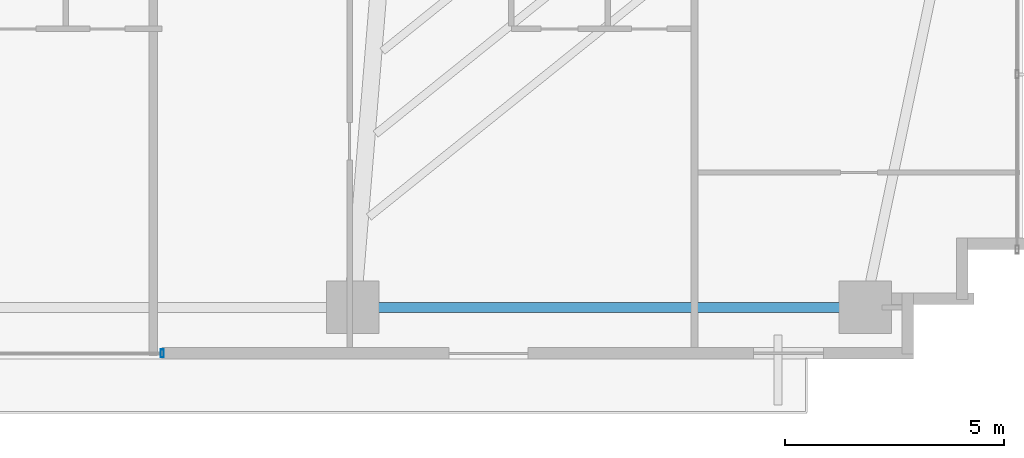
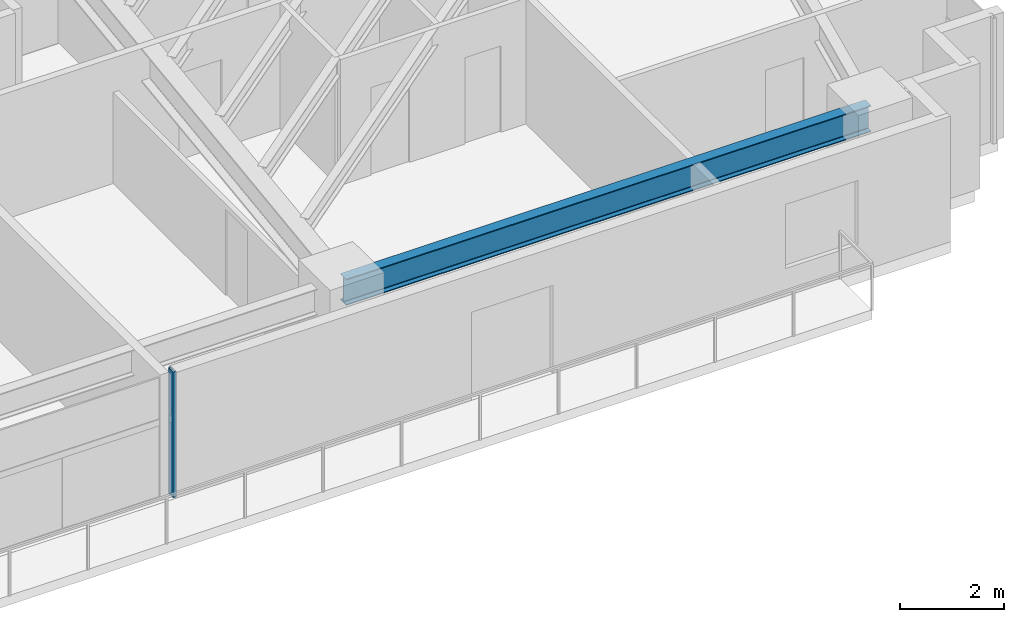
# One storey, part 12 of 25: 1 beam, 1 member, 1 element without a shape of its own.
"""IFC4 building model written with IfcOpenShell, lengths in metres."""

from ifc_helpers import new_model, si_unit, direction, frame, origin, origin_2d, place, context, subcontext, project, spatial, hollow_rectangle, i_section, extrude, source, transform, mapped, material, material_profile, profile_set, type_object, type_shapes, element, aggregate, save


model = new_model("IFC4")

# Units and contexts
model_context = context("Model", 3, precision=1e-05, world=origin(), true_north=direction((0.0, 1.0)))
body_context = subcontext(model_context, "Body", "Model", "MODEL_VIEW")
ifc_project = project(units=[si_unit("LENGTHUNIT", "METRE"), si_unit("AREAUNIT", "SQUARE_METRE"), si_unit("VOLUMEUNIT", "CUBIC_METRE"), si_unit("PLANEANGLEUNIT", "RADIAN"), si_unit("MASSUNIT", "GRAM", prefix="KILO")], contexts=[model_context])

# Site, building, storey
site_placement = place(None, origin())
site = spatial("IfcSite", under=ifc_project, at=site_placement, CompositionType="ELEMENT")
building_placement = place(site_placement, origin())
building = spatial("IfcBuilding", under=site, at=building_placement, Name="Astriad Promenade Condominiums", CompositionType="ELEMENT")
storey_placement = place(building_placement, frame((0.0, 0.0, 61.39990234375)))
storey = spatial("IfcBuildingStorey", under=building, at=storey_placement, Name="L17", CompositionType="ELEMENT", Elevation=61.39990234375)

# Beam
ifc_material_1 = material(Name="Steel ASTM A992 Grade 50", Category="steel")
ifc_material_profile_1 = material_profile(ifc_material_1, i_section(OverallWidth=0.22900390625, OverallDepth=0.612060546875, WebThickness=0.011962890625, FlangeThickness=0.01953125, FilletRadius=0.017822265625, at=origin_2d()), Name="W24X84")
ifc_profile_set_1 = profile_set([ifc_material_profile_1], Name="Steel ASTM A992 Grade 50")
beam_type = type_object("IfcBeamType", Name="STEEL SPANDREL BEAM W24X84", PredefinedType="SPANDREL", material=ifc_profile_set_1)
shared_shape_1 = source(origin(), body_context, "Body", "SweptSolid", [
    extrude(i_section(OverallWidth=0.22900390625, OverallDepth=0.612060546875, WebThickness=0.011962890625, FlangeThickness=0.01953125, FilletRadius=0.017822265625, at=origin_2d()), origin(), (0.0, 0.0, 1.0), 11.619873046875),
])
type_shapes(beam_type, [shared_shape_1])
beam_placement = place(storey_placement, frame((44.5400390625, 3.8798828125, 2.634033203125), z_axis=(1.0, 0.0, 0.0), x_axis=(0.0, 1.0, 0.0)))
element("IfcBeam", 1, at=beam_placement, inside=storey, type_object=beam_type, Name="Perimeter Spandrel Beam SP-S4-L17", PredefinedType="SPANDREL", context=body_context, shape_type="MappedRepresentation", body=[
    mapped(shared_shape_1, transform((0.0, 0.0, 0.0), scale=1.0)),
])

# Curtain wall, member
ifc_material_2 = material(Name="Anodised aluminium Black Dark Glass Unitised", Category="aluminium")
curtain_wall_type = type_object("IfcCurtainWallType", Name="CW-B1-DARK", PredefinedType="USERDEFINED", material=ifc_material_2)
curtain_wall_placement = place(storey_placement, origin())
curtain_wall = element("IfcCurtainWall", 2, at=curtain_wall_placement, inside=storey, type_object=curtain_wall_type, Name="CW-L17-S", ObjectType="UNITISED_CURTAIN_WALL", PredefinedType="USERDEFINED")
ifc_material_3 = material(Name="Anodised aluminium 6063-T6 Black", Category="aluminium")
ifc_material_profile_2 = material_profile(ifc_material_3, hollow_rectangle(XDim=0.074951171875, YDim=0.18505859375, WallThickness=0.00439453125, at=origin_2d()), Name="ALU-MUL-75X185")
ifc_profile_set_2 = profile_set([ifc_material_profile_2], Name="Anodised aluminium 6063-T6 Black")
member_type = type_object("IfcMemberType", Name="MUL-ALU-MUL-75X185", PredefinedType="MULLION", material=ifc_profile_set_2)
shared_shape_2 = source(origin(), body_context, "Body", "SweptSolid", [
    extrude(hollow_rectangle(XDim=0.074951171875, YDim=0.18505859375, WallThickness=0.00439453125, at=origin_2d()), origin(), (0.0, 0.0, 1.0), 2.940185546875),
])
type_shapes(member_type, [shared_shape_2])
member_placement = place(storey_placement, frame((40.14990234375, 2.830078125, 0.0), z_axis=(0.0, 0.0, 1.0), x_axis=(1.0, 0.0, 0.0)))
member = element("IfcMember", 3, at=member_placement, type_object=member_type, Name="CW-L17-S-MUL-00", PredefinedType="MULLION", context=body_context, shape_type="MappedRepresentation", body=[
    mapped(shared_shape_2, transform((0.0, 0.0, 0.0), scale=1.0)),
])
aggregate(curtain_wall, [member])

save(model, "model.ifc")
